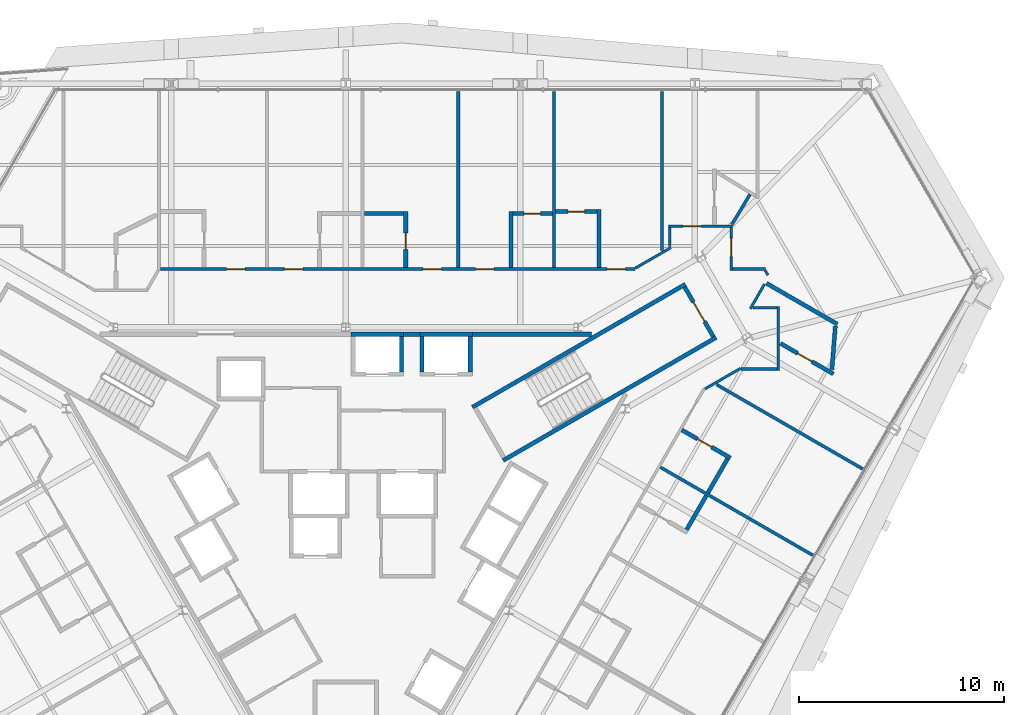
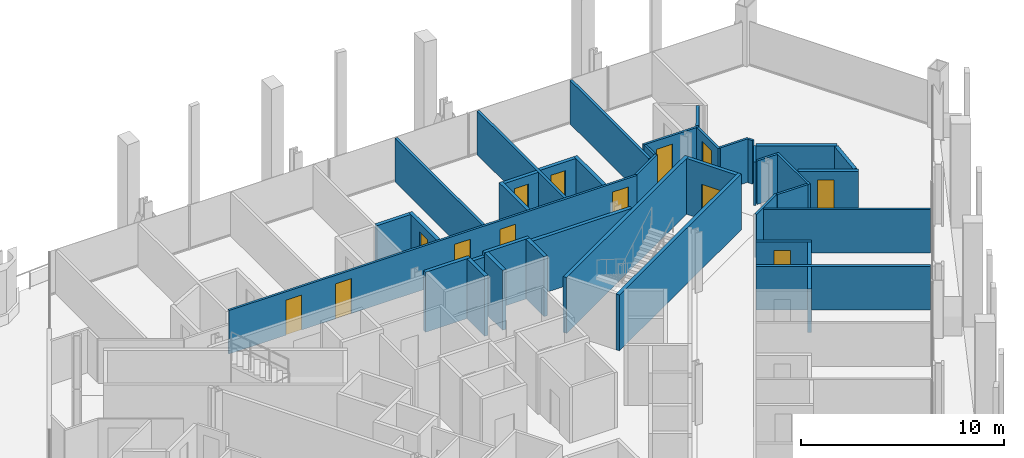
# One storey, part 15 of 19: 40 walls, 13 doors, 13 openings.
"""IFC4 building model written with IfcOpenShell, lengths in metres."""

from ifc_helpers import new_model, si_unit, direction, frame, frame_2d, origin, place, context, subcontext, project, spatial, rectangle, extrude, material, layer, layer_set, type_object, element, fill, save


model = new_model("IFC4")

# Units and contexts
model_context = context("Model", 3, precision=1e-05, world=origin(), true_north=direction((0.0, 1.0)))
body_context = subcontext(model_context, "Body", "Model", "MODEL_VIEW")
ifc_project = project(units=[si_unit("LENGTHUNIT", "METRE"), si_unit("AREAUNIT", "SQUARE_METRE"), si_unit("VOLUMEUNIT", "CUBIC_METRE"), si_unit("PLANEANGLEUNIT", "RADIAN"), si_unit("MASSUNIT", "GRAM", prefix="KILO")], contexts=[model_context])

# Site, building, storey
site_placement = place(None, origin())
site = spatial("IfcSite", under=ifc_project, at=site_placement, CompositionType="ELEMENT")
building_placement = place(site_placement, origin())
building = spatial("IfcBuilding", under=site, at=building_placement, Name="Verrane Prism Tower", CompositionType="ELEMENT")
storey_placement = place(building_placement, frame((0.0, 0.0, 58.39990234375)))
storey = spatial("IfcBuildingStorey", under=building, at=storey_placement, Name="L12", CompositionType="ELEMENT", Elevation=58.39990234375)

# Walls
ifc_material_1 = material(Name="Gypsum board partition", Category="other")
ifc_layer_1 = layer(ifc_material_1, 0.199951171875)
ifc_layer_set_1 = layer_set([ifc_layer_1], Name="CW-200 core boundary wall 2 h")
wall_type_1 = type_object("IfcWallType", Name="CW-200 core boundary wall 2 h", PredefinedType="PARTITIONING", material=ifc_layer_set_1)
wall_1_placement = place(storey_placement, frame((2.81689453125, 8.860107421875, 0.0), z_axis=(0.0, 0.0, 1.0), x_axis=(1.0, 0.0, 0.0)))
element("IfcWall", 1, at=wall_1_placement, inside=storey, type_object=wall_type_1, Name="Core boundary wall CW3-004", PredefinedType="PARTITIONING", context=body_context, shape_type="SweptSolid", body=[
    extrude(rectangle(XDim=0.80615234375, YDim=0.199951171875, at=frame_2d((0.403076171875, 0.0))), origin(), (0.0, 0.0, 1.0), 3.35009765625),
])
wall_2_placement = place(storey_placement, frame((6.177001953125, 8.860107421875, 0.0), z_axis=(0.0, 0.0, 1.0), x_axis=(1.0, 0.0, 0.0)))
element("IfcWall", 2, at=wall_2_placement, inside=storey, type_object=wall_type_1, Name="Core boundary wall CW3-006", PredefinedType="PARTITIONING", context=body_context, shape_type="SweptSolid", body=[
    extrude(rectangle(XDim=5.81396484375, YDim=0.199951171875, at=frame_2d((2.906982421875, 0.0))), origin(), (0.0, 0.0, 1.0), 3.35009765625),
])

# Wall, opening, door
ifc_material_2 = material(Name="Concrete C40/50", Category="concrete")
ifc_layer_2 = layer(ifc_material_2, 0.199951171875)
ifc_layer_set_2 = layer_set([ifc_layer_2], Name="CW-200 stair core wall concrete C40/50 3 h")
wall_type_2 = type_object("IfcWallType", Name="CW-200 stair core wall concrete C40/50 3 h", PredefinedType="PARTITIONING", material=ifc_layer_set_2)
wall_3_placement = place(storey_placement, frame((17.933837890625, 8.737548828125, 0.0), z_axis=(0.0, 0.0, 1.0), x_axis=(-0.49998411664, 0.866034573852, 0.0)))
wall_3 = element("IfcWall", 3, at=wall_3_placement, inside=storey, type_object=wall_type_2, Name="Stair 1 enclosure wall", PredefinedType="PARTITIONING", context=body_context, shape_type="SweptSolid", body=[
    extrude(rectangle(XDim=2.7998046875, YDim=0.199951171875, at=frame_2d((1.39990234375, 0.0))), origin(), (0.0, 0.0, 1.0), 3.35009765625),
])
opening_1_placement = place(wall_3_placement, frame((0.849853515625, 0.0, 0.0)))
opening_1 = element("IfcOpeningElement", 4, at=opening_1_placement, cuts=wall_3, Name="Opening D12500", PredefinedType="OPENING", context=body_context, shape_type="SweptSolid", body=[
    extrude(rectangle(XDim=1.10009765625, YDim=2.10009765625, at=frame_2d((0.550048828125, 1.050048828125))), frame((0.0, 0.10986328125, 0.0), z_axis=(0.0, -1.0, 0.0), x_axis=(1.0, 0.0, 0.0)), (0.0, 0.0, 1.0), 0.219970703125),
])
ifc_material_3 = material(Name="Timber veneered door leaf", Category="wood")
door_type_1 = type_object("IfcDoorType", Name="DR-1100x2100 FD90 single leaf stair", OperationType="NOTDEFINED", PredefinedType="DOOR", material=ifc_material_3)
door_1_placement = place(opening_1_placement, origin())
door_1 = element("IfcDoor", 5, at=door_1_placement, inside=storey, type_object=door_type_1, Name="Stair 1 door", OperationType="SINGLE_SWING_LEFT", OverallHeight=2.10009765625, OverallWidth=1.10009765625, PredefinedType="DOOR", context=body_context, shape_type="SweptSolid", body=[
    extrude(rectangle(XDim=1.10009765625, YDim=2.10009765625, at=frame_2d((0.550048828125, 1.050048828125))), frame((0.0, 0.02490234375, 0.0), z_axis=(0.0, -1.0, 0.0), x_axis=(1.0, 0.0, 0.0)), (0.0, 0.0, 1.0), 0.050048828125),
])
fill(opening_1, door_1)

# Walls
for number, where, z_axis, x_axis, name in (
    (6, (6.17822265625, 5.299072265625, 0.0), (0.0, 0.0, 1.0), (0.866026010844, 0.49999894854, 0.0), "Stair 1 enclosure wall"),
    (7, (7.67822265625, 2.700927734375, 0.0), (0.0, 0.0, 1.0), (0.866026010844, 0.49999894854, 0.0), "Stair 1 enclosure wall"),
):
    element("IfcWall", number, at=place(storey_placement, frame(where, z_axis=z_axis, x_axis=x_axis)), inside=storey, type_object=wall_type_2, Name=name, PredefinedType="PARTITIONING", context=body_context, shape_type="SweptSolid", body=[
        extrude(rectangle(XDim=12.0, YDim=0.199951171875, at=frame_2d((6.0, 0.0))), origin(), (0.0, 0.0, 1.0), 3.35009765625),
    ])
ifc_material_4 = material(Name="Gypsum board shaft wall assembly", Category="other")
ifc_layer_3 = layer(ifc_material_4, 0.199951171875)
ifc_layer_set_3 = layer_set([ifc_layer_3], Name="HW-200 lift shaft wall 2 h")
wall_type_3 = type_object("IfcWallType", Name="HW-200 lift shaft wall 2 h", PredefinedType="PARTITIONING", material=ifc_layer_set_3)
for number, where, z_axis, x_axis, name in (
    (8, (0.264892578125, 8.860107421875, 0.0), (0.0, 0.0, 1.0), (1.0, 0.0, 0.0), "Lift shaft wall"),
    (9, (3.625, 8.860107421875, 0.0), (0.0, 0.0, 1.0), (1.0, 0.0, 0.0), "Lift shaft wall"),
):
    element("IfcWall", number, at=place(storey_placement, frame(where, z_axis=z_axis, x_axis=x_axis)), inside=storey, type_object=wall_type_3, Name=name, PredefinedType="PARTITIONING", context=body_context, shape_type="SweptSolid", body=[
        extrude(rectangle(XDim=2.550048828125, YDim=0.199951171875, at=frame_2d((1.27490234375, 0.0))), origin(), (0.0, 0.0, 1.0), 3.60009765625),
    ])
for number, where, z_axis, x_axis, name in (
    (10, (6.074951171875, 7.010009765625, 0.0), (0.0, 0.0, 1.0), (0.0, 1.0, 0.0), "Lift shaft wall"),
    (11, (3.72509765625, 7.010009765625, 0.0), (0.0, 0.0, 1.0), (0.0, 1.0, 0.0), "Lift shaft wall"),
    (12, (2.715087890625, 7.010009765625, 0.0), (0.0, 0.0, 1.0), (0.0, 1.0, 0.0), "Lift shaft wall"),
):
    element("IfcWall", number, at=place(storey_placement, frame(where, z_axis=z_axis, x_axis=x_axis)), inside=storey, type_object=wall_type_3, Name=name, PredefinedType="PARTITIONING", context=body_context, shape_type="SweptSolid", body=[
        extrude(rectangle(XDim=1.75, YDim=0.199951171875, at=frame_2d((0.875, 0.0))), origin(), (0.0, 0.0, 1.0), 3.60009765625),
    ])

# Wall, openings, doors
ifc_material_5 = material(Name="Gypsum board partition", Category="other")
ifc_layer_4 = layer(ifc_material_5, 0.125)
ifc_layer_set_4 = layer_set([ifc_layer_4], Name="PW-125 corridor wall 1 h")
wall_type_4 = type_object("IfcWallType", Name="PW-125 corridor wall 1 h", PredefinedType="PARTITIONING", material=ifc_layer_set_4)
wall_4_placement = place(storey_placement, frame((-9.035888671875, 12.041015625, 0.0), z_axis=(0.0, 0.0, 1.0), x_axis=(1.0, 0.0, 0.0)))
wall_4 = element("IfcWall", 13, at=wall_4_placement, inside=storey, type_object=wall_type_4, Name="Corridor wall 033", PredefinedType="PARTITIONING", context=body_context, shape_type="SweptSolid", body=[
    extrude(rectangle(XDim=23.154296875, YDim=0.125, at=frame_2d((11.5771484375, 0.0))), origin(), (0.0, 0.0, 1.0), 2.613037109375),
])
opening_2_placement = place(wall_4_placement, frame((21.7890625, 0.0, 0.0)))
opening_2 = element("IfcOpeningElement", 14, at=opening_2_placement, cuts=wall_4, Name="Opening D12003", PredefinedType="OPENING", context=body_context, shape_type="SweptSolid", body=[
    extrude(rectangle(XDim=0.89990234375, YDim=2.10009765625, at=frame_2d((0.449951171875, 1.050048828125))), frame((0.0, 0.072509765625, 0.0), z_axis=(0.0, -1.0, 0.0), x_axis=(1.0, 0.0, 0.0)), (0.0, 0.0, 1.0), 0.14501953125),
])
opening_3_placement = place(wall_4_placement, frame((15.375, 0.0, 0.0)))
opening_3 = element("IfcOpeningElement", 15, at=opening_3_placement, cuts=wall_4, Name="Opening D12005", PredefinedType="OPENING", context=body_context, shape_type="SweptSolid", body=[
    extrude(rectangle(XDim=0.89990234375, YDim=2.10009765625, at=frame_2d((0.449951171875, 1.050048828125))), frame((0.0, 0.072509765625, 0.0), z_axis=(0.0, -1.0, 0.0), x_axis=(1.0, 0.0, 0.0)), (0.0, 0.0, 1.0), 0.14501953125),
])
opening_4_placement = place(wall_4_placement, frame((12.81005859375, 0.0, 0.0)))
opening_4 = element("IfcOpeningElement", 16, at=opening_4_placement, cuts=wall_4, Name="Opening D12007", PredefinedType="OPENING", context=body_context, shape_type="SweptSolid", body=[
    extrude(rectangle(XDim=0.89990234375, YDim=2.10009765625, at=frame_2d((0.449951171875, 1.050048828125))), frame((0.0, 0.072509765625, 0.0), z_axis=(0.0, -1.0, 0.0), x_axis=(1.0, 0.0, 0.0)), (0.0, 0.0, 1.0), 0.14501953125),
])
opening_5_placement = place(wall_4_placement, frame((6.0458984375, 0.0, 0.0)))
opening_5 = element("IfcOpeningElement", 17, at=opening_5_placement, cuts=wall_4, Name="Opening D12009", PredefinedType="OPENING", context=body_context, shape_type="SweptSolid", body=[
    extrude(rectangle(XDim=0.89990234375, YDim=2.10009765625, at=frame_2d((0.449951171875, 1.050048828125))), frame((0.0, 0.072509765625, 0.0), z_axis=(0.0, -1.0, 0.0), x_axis=(1.0, 0.0, 0.0)), (0.0, 0.0, 1.0), 0.14501953125),
])
opening_6_placement = place(wall_4_placement, frame((3.22412109375, 0.0, 0.0)))
opening_6 = element("IfcOpeningElement", 18, at=opening_6_placement, cuts=wall_4, Name="Opening D12011", PredefinedType="OPENING", context=body_context, shape_type="SweptSolid", body=[
    extrude(rectangle(XDim=0.89990234375, YDim=2.10009765625, at=frame_2d((0.449951171875, 1.050048828125))), frame((0.0, 0.072509765625, 0.0), z_axis=(0.0, -1.0, 0.0), x_axis=(1.0, 0.0, 0.0)), (0.0, 0.0, 1.0), 0.14501953125),
])
ifc_material_6 = material(Name="Timber veneered door leaf", Category="wood")
door_type_2 = type_object("IfcDoorType", Name="DR-900x2100 FD20 single leaf unit", OperationType="NOTDEFINED", PredefinedType="DOOR", material=ifc_material_6)
door_2_placement = place(opening_2_placement, origin())
door_2 = element("IfcDoor", 19, at=door_2_placement, inside=storey, type_object=door_type_2, Name="Guest Room door", OperationType="SINGLE_SWING_RIGHT", OverallHeight=2.10009765625, OverallWidth=0.89990234375, PredefinedType="DOOR", context=body_context, shape_type="SweptSolid", body=[
    extrude(rectangle(XDim=0.89990234375, YDim=2.10009765625, at=frame_2d((0.449951171875, 1.050048828125))), frame((0.0, 0.02490234375, 0.0), z_axis=(0.0, -1.0, 0.0), x_axis=(1.0, 0.0, 0.0)), (0.0, 0.0, 1.0), 0.050048828125),
])
fill(opening_2, door_2)
door_3_placement = place(opening_3_placement, origin())
door_3 = element("IfcDoor", 20, at=door_3_placement, inside=storey, type_object=door_type_2, Name="Guest Room door", OperationType="SINGLE_SWING_RIGHT", OverallHeight=2.10009765625, OverallWidth=0.89990234375, PredefinedType="DOOR", context=body_context, shape_type="SweptSolid", body=[
    extrude(rectangle(XDim=0.89990234375, YDim=2.10009765625, at=frame_2d((0.449951171875, 1.050048828125))), frame((0.0, 0.02490234375, 0.0), z_axis=(0.0, -1.0, 0.0), x_axis=(1.0, 0.0, 0.0)), (0.0, 0.0, 1.0), 0.050048828125),
])
fill(opening_3, door_3)
door_4_placement = place(opening_4_placement, origin())
door_4 = element("IfcDoor", 21, at=door_4_placement, inside=storey, type_object=door_type_2, Name="Guest Room door", OperationType="SINGLE_SWING_LEFT", OverallHeight=2.10009765625, OverallWidth=0.89990234375, PredefinedType="DOOR", context=body_context, shape_type="SweptSolid", body=[
    extrude(rectangle(XDim=0.89990234375, YDim=2.10009765625, at=frame_2d((0.449951171875, 1.050048828125))), frame((0.0, 0.02490234375, 0.0), z_axis=(0.0, -1.0, 0.0), x_axis=(1.0, 0.0, 0.0)), (0.0, 0.0, 1.0), 0.050048828125),
])
fill(opening_4, door_4)
door_5_placement = place(opening_5_placement, origin())
door_5 = element("IfcDoor", 22, at=door_5_placement, inside=storey, type_object=door_type_2, Name="Guest Room door", OperationType="SINGLE_SWING_LEFT", OverallHeight=2.10009765625, OverallWidth=0.89990234375, PredefinedType="DOOR", context=body_context, shape_type="SweptSolid", body=[
    extrude(rectangle(XDim=0.89990234375, YDim=2.10009765625, at=frame_2d((0.449951171875, 1.050048828125))), frame((0.0, 0.02490234375, 0.0), z_axis=(0.0, -1.0, 0.0), x_axis=(1.0, 0.0, 0.0)), (0.0, 0.0, 1.0), 0.050048828125),
])
fill(opening_5, door_5)
door_6_placement = place(opening_6_placement, origin())
door_6 = element("IfcDoor", 23, at=door_6_placement, inside=storey, type_object=door_type_2, Name="Guest Room door", OperationType="SINGLE_SWING_LEFT", OverallHeight=2.10009765625, OverallWidth=0.89990234375, PredefinedType="DOOR", context=body_context, shape_type="SweptSolid", body=[
    extrude(rectangle(XDim=0.89990234375, YDim=2.10009765625, at=frame_2d((0.449951171875, 1.050048828125))), frame((0.0, 0.02490234375, 0.0), z_axis=(0.0, -1.0, 0.0), x_axis=(1.0, 0.0, 0.0)), (0.0, 0.0, 1.0), 0.050048828125),
])
fill(opening_6, door_6)

# Walls
wall_5_placement = place(storey_placement, frame((14.129638671875, 12.08349609375, 0.0), z_axis=(0.0, 0.0, 1.0), x_axis=(0.865936922628, 0.500153222552, 0.0)))
element("IfcWall", 24, at=wall_5_placement, inside=storey, type_object=wall_type_4, Name="Corridor wall 073", PredefinedType="PARTITIONING", context=body_context, shape_type="SweptSolid", body=[
    extrude(rectangle(XDim=1.994873046875, YDim=0.125, at=frame_2d((0.99755859375, 0.0))), origin(), (0.0, 0.0, 1.0), 2.613037109375),
])
wall_6_placement = place(storey_placement, frame((15.802978515625, 13.135009765625, 0.0), z_axis=(0.0, 0.0, 1.0), x_axis=(0.0, 1.0, 0.0)))
element("IfcWall", 25, at=wall_6_placement, inside=storey, type_object=wall_type_4, Name="Corridor wall 077", PredefinedType="PARTITIONING", context=body_context, shape_type="SweptSolid", body=[
    extrude(rectangle(XDim=0.93701171875, YDim=0.125, at=frame_2d((0.468505859375, 0.0))), origin(), (0.0, 0.0, 1.0), 2.613037109375),
])

# Wall, opening, door
wall_7_placement = place(storey_placement, frame((15.740478515625, 14.136962890625, 0.0), z_axis=(0.0, 0.0, 1.0), x_axis=(1.0, 0.0, 0.0)))
wall_7 = element("IfcWall", 26, at=wall_7_placement, inside=storey, type_object=wall_type_4, Name="Corridor wall 078", PredefinedType="PARTITIONING", context=body_context, shape_type="SweptSolid", body=[
    extrude(rectangle(XDim=3.119140625, YDim=0.125, at=frame_2d((1.5595703125, 0.0))), origin(), (0.0, 0.0, 1.0), 2.613037109375),
])
opening_7_placement = place(wall_7_placement, frame((0.71240234375, 0.0, 0.0)))
opening_7 = element("IfcOpeningElement", 27, at=opening_7_placement, cuts=wall_7, Name="Opening D12001", PredefinedType="OPENING", context=body_context, shape_type="SweptSolid", body=[
    extrude(rectangle(XDim=0.89990234375, YDim=2.10009765625, at=frame_2d((0.449951171875, 1.050048828125))), frame((0.0, 0.072509765625, 0.0), z_axis=(0.0, -1.0, 0.0), x_axis=(1.0, 0.0, 0.0)), (0.0, 0.0, 1.0), 0.14501953125),
])
door_7_placement = place(opening_7_placement, origin())
door_7 = element("IfcDoor", 28, at=door_7_placement, inside=storey, type_object=door_type_2, Name="Guest Room door", OperationType="SINGLE_SWING_RIGHT", OverallHeight=2.10009765625, OverallWidth=0.89990234375, PredefinedType="DOOR", context=body_context, shape_type="SweptSolid", body=[
    extrude(rectangle(XDim=0.89990234375, YDim=2.10009765625, at=frame_2d((0.449951171875, 1.050048828125))), frame((0.0, 0.02490234375, 0.0), z_axis=(0.0, -1.0, 0.0), x_axis=(1.0, 0.0, 0.0)), (0.0, 0.0, 1.0), 0.050048828125),
])
fill(opening_7, door_7)

# Wall
wall_8_placement = place(storey_placement, frame((17.528564453125, 6.194580078125, 0.0), z_axis=(0.0, 0.0, 1.0), x_axis=(0.866002566612, 0.500039553057, 0.0)))
element("IfcWall", 29, at=wall_8_placement, inside=storey, type_object=wall_type_4, Name="Corridor wall 081", PredefinedType="PARTITIONING", context=body_context, shape_type="SweptSolid", body=[
    extrude(rectangle(XDim=1.999267578125, YDim=0.125, at=frame_2d((0.99951171875, 0.0))), origin(), (0.0, 0.0, 1.0), 2.613037109375),
])

# Wall, opening, door
wall_9_placement = place(storey_placement, frame((18.797119140625, 14.072021484375, 0.0), z_axis=(0.0, 0.0, 1.0), x_axis=(0.0, -1.0, 0.0)))
wall_9 = element("IfcWall", 30, at=wall_9_placement, inside=storey, type_object=wall_type_4, Name="Corridor wall 086", PredefinedType="PARTITIONING", context=body_context, shape_type="SweptSolid", body=[
    extrude(rectangle(XDim=2.093505859375, YDim=0.125, at=frame_2d((1.046875, 0.0))), origin(), (0.0, 0.0, 1.0), 2.613037109375),
])
opening_8_placement = place(wall_9_placement, frame((0.531005859375, 0.0, 0.0)))
opening_8 = element("IfcOpeningElement", 31, at=opening_8_placement, cuts=wall_9, Name="Opening D12042", PredefinedType="OPENING", context=body_context, shape_type="SweptSolid", body=[
    extrude(rectangle(XDim=0.89990234375, YDim=2.10009765625, at=frame_2d((0.449951171875, 1.050048828125))), frame((0.0, 0.072509765625, 0.0), z_axis=(0.0, -1.0, 0.0), x_axis=(1.0, 0.0, 0.0)), (0.0, 0.0, 1.0), 0.14501953125),
])
door_8_placement = place(opening_8_placement, origin())
door_8 = element("IfcDoor", 32, at=door_8_placement, inside=storey, type_object=door_type_2, Name="Corner Suite door", OperationType="SINGLE_SWING_LEFT", OverallHeight=2.10009765625, OverallWidth=0.89990234375, PredefinedType="DOOR", context=body_context, shape_type="SweptSolid", body=[
    extrude(rectangle(XDim=0.89990234375, YDim=2.10009765625, at=frame_2d((0.449951171875, 1.050048828125))), frame((0.0, 0.02490234375, 0.0), z_axis=(0.0, -1.0, 0.0), x_axis=(1.0, 0.0, 0.0)), (0.0, 0.0, 1.0), 0.050048828125),
])
fill(opening_8, door_8)

# Walls
wall_10_placement = place(storey_placement, frame((18.862060546875, 12.041015625, 0.0), z_axis=(0.0, 0.0, 1.0), x_axis=(1.0, 0.0, 0.0)))
element("IfcWall", 33, at=wall_10_placement, inside=storey, type_object=wall_type_4, Name="Corridor wall 087", PredefinedType="PARTITIONING", context=body_context, shape_type="SweptSolid", body=[
    extrude(rectangle(XDim=1.62451171875, YDim=0.125, at=frame_2d((0.812255859375, 0.0))), origin(), (0.0, 0.0, 1.0), 2.613037109375),
])
wall_11_placement = place(storey_placement, frame((19.291015625, 7.1630859375, 0.0), z_axis=(0.0, 0.0, 1.0), x_axis=(1.0, 0.0, 0.0)))
element("IfcWall", 34, at=wall_11_placement, inside=storey, type_object=wall_type_4, Name="Corridor wall 089", PredefinedType="PARTITIONING", context=body_context, shape_type="SweptSolid", body=[
    extrude(rectangle(XDim=1.740966796875, YDim=0.125, at=frame_2d((0.87060546875, 0.0))), origin(), (0.0, 0.0, 1.0), 2.613037109375),
])
wall_12_placement = place(storey_placement, frame((19.73681640625, 10.102783203125, 0.0), z_axis=(0.0, 0.0, 1.0), x_axis=(0.499944854726, 0.866057239582, 0.0)))
element("IfcWall", 35, at=wall_12_placement, inside=storey, type_object=wall_type_4, Name="Corridor wall 090", PredefinedType="PARTITIONING", context=body_context, shape_type="SweptSolid", body=[
    extrude(rectangle(XDim=1.393798828125, YDim=0.125, at=frame_2d((0.69677734375, 0.0))), origin(), (0.0, 0.0, 1.0), 2.613037109375),
])
wall_13_placement = place(storey_placement, frame((19.873046875, 10.156982421875, 0.0), z_axis=(0.0, 0.0, 1.0), x_axis=(1.0, 0.0, 0.0)))
element("IfcWall", 36, at=wall_13_placement, inside=storey, type_object=wall_type_4, Name="Corridor wall 091", PredefinedType="PARTITIONING", context=body_context, shape_type="SweptSolid", body=[
    extrude(rectangle(XDim=1.158935546875, YDim=0.125, at=frame_2d((0.57958984375, 0.0))), origin(), (0.0, 0.0, 1.0), 2.613037109375),
])
wall_14_placement = place(storey_placement, frame((20.466552734375, 11.96728515625, 0.0), z_axis=(0.0, 0.0, 1.0), x_axis=(0.500153222552, -0.865936922628, 0.0)))
element("IfcWall", 37, at=wall_14_placement, inside=storey, type_object=wall_type_4, Name="Corridor wall 093", PredefinedType="PARTITIONING", context=body_context, shape_type="SweptSolid", body=[
    extrude(rectangle(XDim=0.26171875, YDim=0.125, at=frame_2d((0.130859375, 0.0))), origin(), (0.0, 0.0, 1.0), 2.613037109375),
])
wall_15_placement = place(storey_placement, frame((21.096923828125, 7.1005859375, 0.0), z_axis=(0.0, 0.0, 1.0), x_axis=(0.0, 1.0, 0.0)))
element("IfcWall", 38, at=wall_15_placement, inside=storey, type_object=wall_type_4, Name="Corridor wall 095", PredefinedType="PARTITIONING", context=body_context, shape_type="SweptSolid", body=[
    extrude(rectangle(XDim=3.118896484375, YDim=0.125, at=frame_2d((1.5595703125, 0.0))), origin(), (0.0, 0.0, 1.0), 2.613037109375),
])
ifc_material_7 = material(Name="Gypsum board partition", Category="other")
ifc_layer_5 = layer(ifc_material_7, 0.14990234375)
ifc_layer_set_5 = layer_set([ifc_layer_5], Name="PW-150 demising wall 1 h")
wall_type_5 = type_object("IfcWallType", Name="PW-150 demising wall 1 h", PredefinedType="PARTITIONING", material=ifc_layer_set_5)
for number, where, z_axis, x_axis, name in (
    (39, (5.489013671875, 12.103515625, 0.0), (0.0, 0.0, 1.0), (0.0, 1.0, 0.0), "Demising wall 057"),
    (40, (10.153076171875, 12.103515625, 0.0), (0.0, 0.0, 1.0), (0.0, 1.0, 0.0), "Demising wall 065"),
):
    element("IfcWall", number, at=place(storey_placement, frame(where, z_axis=z_axis, x_axis=x_axis)), inside=storey, type_object=wall_type_5, Name=name, PredefinedType="PARTITIONING", context=body_context, shape_type="SweptSolid", body=[
        extrude(rectangle(XDim=8.591552734375, YDim=0.14990234375, at=frame_2d((4.2958984375, 0.0))), origin(), (0.0, 0.0, 1.0), 2.613037109375),
    ])
wall_16_placement = place(storey_placement, frame((15.349365234375, 2.370361328125, 0.0), z_axis=(0.0, 0.0, 1.0), x_axis=(0.866033609522, -0.499985786976, 0.0)))
element("IfcWall", 41, at=wall_16_placement, inside=storey, type_object=wall_type_5, Name="Demising wall 075", PredefinedType="PARTITIONING", context=body_context, shape_type="SweptSolid", body=[
    extrude(rectangle(XDim=8.587158203125, YDim=0.14990234375, at=frame_2d((4.29345703125, 0.0))), origin(), (0.0, 0.0, 1.0), 2.613037109375),
])
wall_17_placement = place(storey_placement, frame((15.425048828125, 12.947509765625, 0.0), z_axis=(0.0, 0.0, 1.0), x_axis=(0.0, 1.0, 0.0)))
element("IfcWall", 42, at=wall_17_placement, inside=storey, type_object=wall_type_5, Name="Demising wall 076", PredefinedType="PARTITIONING", context=body_context, shape_type="SweptSolid", body=[
    extrude(rectangle(XDim=7.74755859375, YDim=0.14990234375, at=frame_2d((3.873779296875, 0.0))), origin(), (0.0, 0.0, 1.0), 2.613037109375),
])
wall_18_placement = place(storey_placement, frame((18.091064453125, 6.4033203125, 0.0), z_axis=(0.0, 0.0, 1.0), x_axis=(0.866038366034, -0.499977548053, 0.0)))
element("IfcWall", 43, at=wall_18_placement, inside=storey, type_object=wall_type_5, Name="Demising wall 085", PredefinedType="PARTITIONING", context=body_context, shape_type="SweptSolid", body=[
    extrude(rectangle(XDim=8.2294921875, YDim=0.14990234375, at=frame_2d((4.11474609375, 0.0))), origin(), (0.0, 0.0, 1.0), 2.613037109375),
])
wall_19_placement = place(storey_placement, frame((18.842041015625, 14.212158203125, 0.0), z_axis=(0.0, 0.0, 1.0), x_axis=(0.513405982386, 0.858145848472, 0.0)))
element("IfcWall", 44, at=wall_19_placement, inside=storey, type_object=wall_type_5, Name="Demising wall 088", PredefinedType="PARTITIONING", context=body_context, shape_type="SweptSolid", body=[
    extrude(rectangle(XDim=1.7138671875, YDim=0.14990234375, at=frame_2d((0.85693359375, 0.0))), origin(), (0.0, 0.0, 1.0), 2.613037109375),
])
ifc_material_8 = material(Name="Gypsum board partition", Category="other")
ifc_layer_6 = layer(ifc_material_8, 0.199951171875)
ifc_layer_set_6 = layer_set([ifc_layer_6], Name="PW-200 plumbing wall")
wall_type_6 = type_object("IfcWallType", Name="PW-200 plumbing wall", PredefinedType="PARTITIONING", material=ifc_layer_set_6)
wall_20_placement = place(storey_placement, frame((0.904052734375, 14.740966796875, 0.0), z_axis=(0.0, 0.0, 1.0), x_axis=(1.0, 0.0, 0.0)))
element("IfcWall", 45, at=wall_20_placement, inside=storey, type_object=wall_type_6, Name="Plumbing wall 050", PredefinedType="PARTITIONING", context=body_context, shape_type="SweptSolid", body=[
    extrude(rectangle(XDim=1.919921875, YDim=0.199951171875, at=frame_2d((0.9599609375, 0.0))), origin(), (0.0, 0.0, 1.0), 2.613037109375),
])

# Wall, opening, door
wall_21_placement = place(storey_placement, frame((2.924072265625, 12.103515625, 0.0), z_axis=(0.0, 0.0, 1.0), x_axis=(0.0, 1.0, 0.0)))
wall_21 = element("IfcWall", 46, at=wall_21_placement, inside=storey, type_object=wall_type_6, Name="Plumbing wall 051", PredefinedType="PARTITIONING", context=body_context, shape_type="SweptSolid", body=[
    extrude(rectangle(XDim=2.737548828125, YDim=0.199951171875, at=frame_2d((1.36865234375, 0.0))), origin(), (0.0, 0.0, 1.0), 2.613037109375),
])
opening_9_placement = place(wall_21_placement, frame((0.887451171875, 0.0, 0.0)))
opening_9 = element("IfcOpeningElement", 47, at=opening_9_placement, cuts=wall_21, Name="Opening D12008", PredefinedType="OPENING", context=body_context, shape_type="SweptSolid", body=[
    extrude(rectangle(XDim=0.800048828125, YDim=2.10009765625, at=frame_2d((0.39990234375, 1.050048828125))), frame((0.0, 0.10986328125, 0.0), z_axis=(0.0, -1.0, 0.0), x_axis=(1.0, 0.0, 0.0)), (0.0, 0.0, 1.0), 0.219970703125),
])
ifc_material_9 = material(Name="Timber veneered door leaf", Category="wood")
door_type_3 = type_object("IfcDoorType", Name="DR-800x2100 single leaf bath", OperationType="NOTDEFINED", PredefinedType="DOOR", material=ifc_material_9)
door_9_placement = place(opening_9_placement, origin())
door_9 = element("IfcDoor", 48, at=door_9_placement, inside=storey, type_object=door_type_3, Name="En-Suite door", OperationType="SINGLE_SWING_RIGHT", OverallHeight=2.10009765625, OverallWidth=0.800048828125, PredefinedType="DOOR", context=body_context, shape_type="SweptSolid", body=[
    extrude(rectangle(XDim=0.800048828125, YDim=2.10009765625, at=frame_2d((0.39990234375, 1.050048828125))), frame((0.0, 0.02490234375, 0.0), z_axis=(0.0, -1.0, 0.0), x_axis=(1.0, 0.0, 0.0)), (0.0, 0.0, 1.0), 0.050048828125),
])
fill(opening_9, door_9)

# Wall
wall_22_placement = place(storey_placement, frame((8.052978515625, 12.103515625, 0.0), z_axis=(0.0, 0.0, 1.0), x_axis=(0.0, 1.0, 0.0)))
element("IfcWall", 49, at=wall_22_placement, inside=storey, type_object=wall_type_6, Name="Plumbing wall 062", PredefinedType="PARTITIONING", context=body_context, shape_type="SweptSolid", body=[
    extrude(rectangle(XDim=2.737548828125, YDim=0.199951171875, at=frame_2d((1.36865234375, 0.0))), origin(), (0.0, 0.0, 1.0), 2.613037109375),
])

# Wall, opening, door
wall_23_placement = place(storey_placement, frame((10.077880859375, 14.740966796875, 0.0), z_axis=(0.0, 0.0, 1.0), x_axis=(-1.0, 0.0, 0.0)))
wall_23 = element("IfcWall", 50, at=wall_23_placement, inside=storey, type_object=wall_type_6, Name="Plumbing wall 063", PredefinedType="PARTITIONING", context=body_context, shape_type="SweptSolid", body=[
    extrude(rectangle(XDim=1.9248046875, YDim=0.199951171875, at=frame_2d((0.96240234375, 0.0))), origin(), (0.0, 0.0, 1.0), 2.613037109375),
])
opening_10_placement = place(wall_23_placement, frame((0.574951171875, 0.0, 0.0)))
opening_10 = element("IfcOpeningElement", 51, at=opening_10_placement, cuts=wall_23, Name="Opening D12006", PredefinedType="OPENING", context=body_context, shape_type="SweptSolid", body=[
    extrude(rectangle(XDim=0.800048828125, YDim=2.10009765625, at=frame_2d((0.39990234375, 1.050048828125))), frame((0.0, 0.10986328125, 0.0), z_axis=(0.0, -1.0, 0.0), x_axis=(1.0, 0.0, 0.0)), (0.0, 0.0, 1.0), 0.219970703125),
])
door_10_placement = place(opening_10_placement, origin())
door_10 = element("IfcDoor", 52, at=door_10_placement, inside=storey, type_object=door_type_3, Name="En-Suite door", OperationType="SINGLE_SWING_LEFT", OverallHeight=2.10009765625, OverallWidth=0.800048828125, PredefinedType="DOOR", context=body_context, shape_type="SweptSolid", body=[
    extrude(rectangle(XDim=0.800048828125, YDim=2.10009765625, at=frame_2d((0.39990234375, 1.050048828125))), frame((0.0, 0.02490234375, 0.0), z_axis=(0.0, -1.0, 0.0), x_axis=(1.0, 0.0, 0.0)), (0.0, 0.0, 1.0), 0.050048828125),
])
fill(opening_10, door_10)

wall_24_placement = place(storey_placement, frame((12.2529296875, 14.841064453125, 0.0), z_axis=(0.0, 0.0, 1.0), x_axis=(-1.0, 0.0, 0.0)))
wall_24 = element("IfcWall", 53, at=wall_24_placement, inside=storey, type_object=wall_type_6, Name="Plumbing wall 066", PredefinedType="PARTITIONING", context=body_context, shape_type="SweptSolid", body=[
    extrude(rectangle(XDim=2.02490234375, YDim=0.199951171875, at=frame_2d((1.012451171875, 0.0))), origin(), (0.0, 0.0, 1.0), 2.613037109375),
])
opening_11_placement = place(wall_24_placement, frame((0.60009765625, 0.0, 0.0)))
opening_11 = element("IfcOpeningElement", 54, at=opening_11_placement, cuts=wall_24, Name="Opening D12004", PredefinedType="OPENING", context=body_context, shape_type="SweptSolid", body=[
    extrude(rectangle(XDim=0.800048828125, YDim=2.10009765625, at=frame_2d((0.39990234375, 1.050048828125))), frame((0.0, 0.10986328125, 0.0), z_axis=(0.0, -1.0, 0.0), x_axis=(1.0, 0.0, 0.0)), (0.0, 0.0, 1.0), 0.219970703125),
])
door_11_placement = place(opening_11_placement, origin())
door_11 = element("IfcDoor", 55, at=door_11_placement, inside=storey, type_object=door_type_3, Name="En-Suite door", OperationType="SINGLE_SWING_RIGHT", OverallHeight=2.10009765625, OverallWidth=0.800048828125, PredefinedType="DOOR", context=body_context, shape_type="SweptSolid", body=[
    extrude(rectangle(XDim=0.800048828125, YDim=2.10009765625, at=frame_2d((0.39990234375, 1.050048828125))), frame((0.0, 0.02490234375, 0.0), z_axis=(0.0, -1.0, 0.0), x_axis=(1.0, 0.0, 0.0)), (0.0, 0.0, 1.0), 0.050048828125),
])
fill(opening_11, door_11)

# Wall
wall_25_placement = place(storey_placement, frame((12.35302734375, 12.103515625, 0.0), z_axis=(0.0, 0.0, 1.0), x_axis=(0.0, 1.0, 0.0)))
element("IfcWall", 56, at=wall_25_placement, inside=storey, type_object=wall_type_6, Name="Plumbing wall 070", PredefinedType="PARTITIONING", context=body_context, shape_type="SweptSolid", body=[
    extrude(rectangle(XDim=2.83740234375, YDim=0.199951171875, at=frame_2d((1.418701171875, 0.0))), origin(), (0.0, 0.0, 1.0), 2.613037109375),
])

# Wall, opening, door
wall_26_placement = place(storey_placement, frame((18.7666015625, 2.822021484375, 0.0), z_axis=(0.0, 0.0, 1.0), x_axis=(-0.866117296485, 0.499840803386, 0.0)))
wall_26 = element("IfcWall", 57, at=wall_26_placement, inside=storey, type_object=wall_type_6, Name="Plumbing wall 079", PredefinedType="PARTITIONING", context=body_context, shape_type="SweptSolid", body=[
    extrude(rectangle(XDim=2.73828125, YDim=0.199951171875, at=frame_2d((1.369140625, 0.0))), origin(), (0.0, 0.0, 1.0), 2.613037109375),
])
opening_12_placement = place(wall_26_placement, frame((1.050537109375, 0.0, 0.0)))
opening_12 = element("IfcOpeningElement", 58, at=opening_12_placement, cuts=wall_26, Name="Opening D12041", PredefinedType="OPENING", context=body_context, shape_type="SweptSolid", body=[
    extrude(rectangle(XDim=0.800048828125, YDim=2.10009765625, at=frame_2d((0.39990234375, 1.050048828125))), frame((0.0, 0.10986328125, 0.0), z_axis=(0.0, -1.0, 0.0), x_axis=(1.0, 0.0, 0.0)), (0.0, 0.0, 1.0), 0.219970703125),
])
door_12_placement = place(opening_12_placement, origin())
door_12 = element("IfcDoor", 59, at=door_12_placement, inside=storey, type_object=door_type_3, Name="En-Suite door", OperationType="SINGLE_SWING_RIGHT", OverallHeight=2.10009765625, OverallWidth=0.800048828125, PredefinedType="DOOR", context=body_context, shape_type="SweptSolid", body=[
    extrude(rectangle(XDim=0.800048828125, YDim=2.10009765625, at=frame_2d((0.39990234375, 1.050048828125))), frame((0.0, 0.02490234375, 0.0), z_axis=(0.0, -1.0, 0.0), x_axis=(1.0, 0.0, 0.0)), (0.0, 0.0, 1.0), 0.050048828125),
])
fill(opening_12, door_12)

# Walls
wall_27_placement = place(storey_placement, frame((16.6298828125, -0.678466796875, 0.0), z_axis=(0.0, 0.0, 1.0), x_axis=(0.49992795321, 0.866066996022, 0.0)))
element("IfcWall", 60, at=wall_27_placement, inside=storey, type_object=wall_type_6, Name="Plumbing wall 080", PredefinedType="PARTITIONING", context=body_context, shape_type="SweptSolid", body=[
    extrude(rectangle(XDim=1.919677734375, YDim=0.199951171875, at=frame_2d((0.9599609375, 0.0))), origin(), (0.0, 0.0, 1.0), 2.613037109375),
])
wall_28_placement = place(storey_placement, frame((17.66943359375, 1.123046875, 0.0), z_axis=(0.0, 0.0, 1.0), x_axis=(0.500269123289, 0.865869969617, 0.0)))
element("IfcWall", 61, at=wall_28_placement, inside=storey, type_object=wall_type_6, Name="Plumbing wall 082", PredefinedType="PARTITIONING", context=body_context, shape_type="SweptSolid", body=[
    extrude(rectangle(XDim=1.919921875, YDim=0.199951171875, at=frame_2d((0.9599609375, 0.0))), origin(), (0.0, 0.0, 1.0), 2.613037109375),
])
wall_29_placement = place(storey_placement, frame((20.526123046875, 11.345703125, 0.0), z_axis=(0.0, 0.0, 1.0), x_axis=(0.866089865591, -0.499888332251, 0.0)))
element("IfcWall", 62, at=wall_29_placement, inside=storey, type_object=wall_type_6, Name="Plumbing wall 094", PredefinedType="PARTITIONING", context=body_context, shape_type="SweptSolid", body=[
    extrude(rectangle(XDim=3.9921875, YDim=0.199951171875, at=frame_2d((1.99609375, 0.0))), origin(), (0.0, 0.0, 1.0), 2.613037109375),
])

# Wall, opening, door
wall_30_placement = place(storey_placement, frame((21.20947265625, 8.4111328125, 0.0), z_axis=(0.0, 0.0, 1.0), x_axis=(0.86595648724, -0.500119347963, 0.0)))
wall_30 = element("IfcWall", 63, at=wall_30_placement, inside=storey, type_object=wall_type_6, Name="Plumbing wall 096", PredefinedType="PARTITIONING", context=body_context, shape_type="SweptSolid", body=[
    extrude(rectangle(XDim=2.981689453125, YDim=0.199951171875, at=frame_2d((1.49072265625, 0.0))), origin(), (0.0, 0.0, 1.0), 2.613037109375),
])
opening_13_placement = place(wall_30_placement, frame((0.969970703125, 0.0, 0.0)))
opening_13 = element("IfcOpeningElement", 64, at=opening_13_placement, cuts=wall_30, Name="Opening D12043", PredefinedType="OPENING", context=body_context, shape_type="SweptSolid", body=[
    extrude(rectangle(XDim=0.800048828125, YDim=2.10009765625, at=frame_2d((0.39990234375, 1.050048828125))), frame((0.0, 0.10986328125, 0.0), z_axis=(0.0, -1.0, 0.0), x_axis=(1.0, 0.0, 0.0)), (0.0, 0.0, 1.0), 0.219970703125),
])
door_13_placement = place(opening_13_placement, origin())
door_13 = element("IfcDoor", 65, at=door_13_placement, inside=storey, type_object=door_type_3, Name="En-Suite door", OperationType="SINGLE_SWING_LEFT", OverallHeight=2.10009765625, OverallWidth=0.800048828125, PredefinedType="DOOR", context=body_context, shape_type="SweptSolid", body=[
    extrude(rectangle(XDim=0.800048828125, YDim=2.10009765625, at=frame_2d((0.39990234375, 1.050048828125))), frame((0.0, 0.02490234375, 0.0), z_axis=(0.0, -1.0, 0.0), x_axis=(1.0, 0.0, 0.0)), (0.0, 0.0, 1.0), 0.050048828125),
])
fill(opening_13, door_13)

# Wall
wall_31_placement = place(storey_placement, frame((23.717529296875, 7.12939453125, 0.0), z_axis=(0.0, 0.0, 1.0), x_axis=(0.078848500899, 0.996886610355, 0.0)))
element("IfcWall", 66, at=wall_31_placement, inside=storey, type_object=wall_type_6, Name="Plumbing wall 097", PredefinedType="PARTITIONING", context=body_context, shape_type="SweptSolid", body=[
    extrude(rectangle(XDim=2.142578125, YDim=0.199951171875, at=frame_2d((1.0712890625, 0.0))), origin(), (0.0, 0.0, 1.0), 2.613037109375),
])

save(model, "model.ifc")
